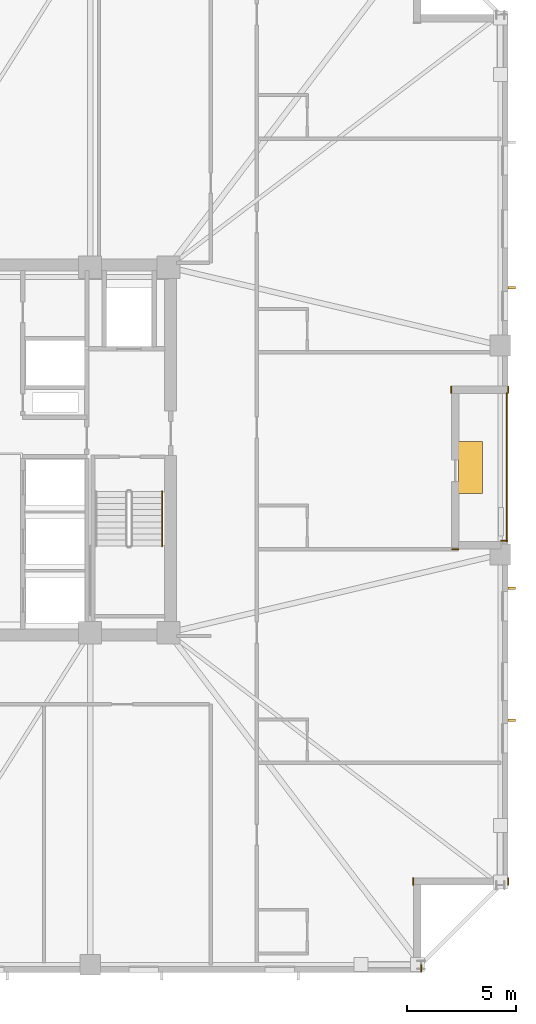
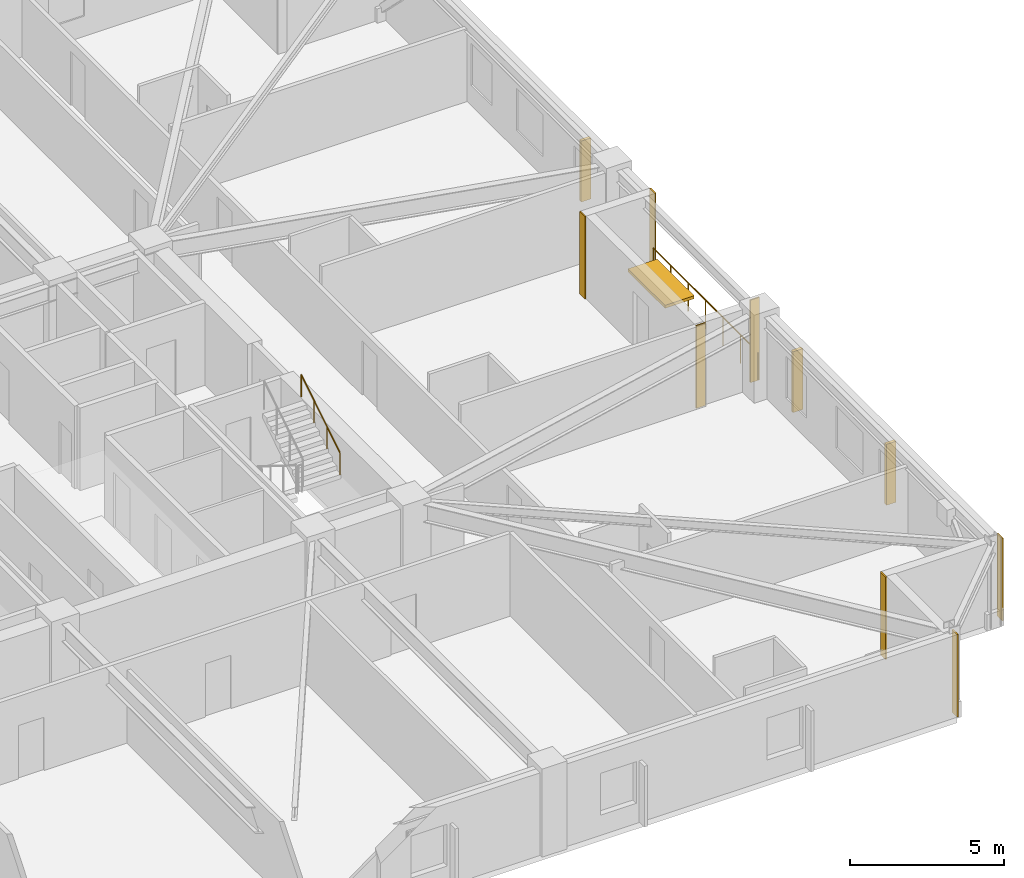
# One storey, part 8 of 10: 7 coverings, 4 shading devices, 2 railings.
"""IFC4 building model written with IfcOpenShell, lengths in metres."""

from ifc_helpers import new_model, si_unit, direction, frame, frame_2d, origin, origin_2d, place, context, subcontext, project, spatial, rectangle, circle, extrude, material, layer, layer_set, type_object, element, save


model = new_model("IFC4")

# Units and contexts
model_context = context("Model", 3, precision=1e-05, world=origin(), true_north=direction((0.0, 1.0)))
body_context = subcontext(model_context, "Body", "Model", "MODEL_VIEW")
ifc_project = project(units=[si_unit("LENGTHUNIT", "METRE"), si_unit("AREAUNIT", "SQUARE_METRE"), si_unit("VOLUMEUNIT", "CUBIC_METRE"), si_unit("PLANEANGLEUNIT", "RADIAN"), si_unit("MASSUNIT", "GRAM", prefix="KILO")], contexts=[model_context])

# Site, building, storey
site_placement = place(None, origin())
site = spatial("IfcSite", under=ifc_project, at=site_placement, CompositionType="ELEMENT")
building_placement = place(site_placement, origin())
building = spatial("IfcBuilding", under=site, at=building_placement, Name="Cairnveth Concourse Tower", CompositionType="ELEMENT")
storey_placement = place(building_placement, frame((0.0, 0.0, 183.0)))
storey = spatial("IfcBuildingStorey", under=building, at=storey_placement, Name="L50", CompositionType="ELEMENT", Elevation=183.0)

# Coverings
ifc_material_1 = material(Name="Dressed Melbourne Bluestone Cladding", Category="masonry")
ifc_layer = layer(ifc_material_1, 0.050048828125)
ifc_layer_set = layer_set([ifc_layer], Name="Dressed Melbourne Bluestone Cladding")
covering_type = type_object("IfcCoveringType", Name="DRESSED BLUESTONE PLINTH CLADDING 50", PredefinedType="CLADDING", material=ifc_layer_set)
for number, where, z_axis, x_axis, name in (
    (1, (75.659912109375, 34.820068359375, 0.0), (0.0, 0.0, 1.0), (1.0, 0.0, 0.0), "Melbourne Bluestone Corner Quoin L50-739"),
    (2, (76.02001953125, 19.340087890625, 0.0), (0.0, 0.0, 1.0), (0.0, -1.0, 0.0), "Melbourne Bluestone Corner Quoin L50-740"),
    (3, (71.639892578125, 19.340087890625, 0.0), (0.0, 0.0, 1.0), (0.0, -1.0, 0.0), "Melbourne Bluestone Corner Quoin L50-741"),
    (4, (72.02001953125, 15.340087890625, 0.0), (0.0, 0.0, 1.0), (0.0, -1.0, 0.0), "Melbourne Bluestone Corner Quoin L50-742"),
):
    element("IfcCovering", number, at=place(storey_placement, frame(where, z_axis=z_axis, x_axis=x_axis)), inside=storey, type_object=covering_type, Name=name, PredefinedType="CLADDING", context=body_context, shape_type="SweptSolid", body=[
        extrude(rectangle(XDim=0.340087890625, YDim=0.050048828125, at=frame_2d((0.169921875, 0.0))), origin(), (0.0, 0.0, 1.0), 3.280029296875),
    ])
for number, where, z_axis, x_axis, name in (
    (5, (76.02001953125, 41.93994140625, 0.0), (0.0, 0.0, 1.0), (0.0, -1.0, 0.0), "Melbourne Bluestone Corner Quoin L50-752"),
    (6, (73.389892578125, 41.93994140625, 0.0), (0.0, 0.0, 1.0), (0.0, -1.0, 0.0), "Melbourne Bluestone Corner Quoin L50-753"),
):
    element("IfcCovering", number, at=place(storey_placement, frame(where, z_axis=z_axis, x_axis=x_axis)), inside=storey, type_object=covering_type, Name=name, PredefinedType="CLADDING", context=body_context, shape_type="SweptSolid", body=[
        extrude(rectangle(XDim=0.33984375, YDim=0.050048828125, at=frame_2d((0.169921875, 0.0))), origin(), (0.0, 0.0, 1.0), 3.280029296875),
    ])
covering_placement = place(storey_placement, frame((73.409912109375, 34.43994140625, 0.0), z_axis=(0.0, 0.0, 1.0), x_axis=(1.0, 0.0, 0.0)))
element("IfcCovering", 7, at=covering_placement, inside=storey, type_object=covering_type, Name="Melbourne Bluestone Corner Quoin L50-754", PredefinedType="CLADDING", context=body_context, shape_type="SweptSolid", body=[
    extrude(rectangle(XDim=0.340087890625, YDim=0.050048828125, at=frame_2d((0.169921875, 0.0))), origin(), (0.0, 0.0, 1.0), 3.280029296875),
])

# Shading devices
ifc_material_2 = material(Name="Architectural Bronze Anodised Aluminium 6063-T6", Category="aluminium")
shading_device_type_1 = type_object("IfcShadingDeviceType", Name="GOTHIC BRONZE VERTICAL LANCET FIN", PredefinedType="USERDEFINED", material=ifc_material_2)
for number, where, z_axis, x_axis, name in (
    (8, (76.175048828125, 32.65478515625, 0.030029296875), (0.0, 0.0, 1.0), (0.0, 1.0, 0.0), "Gothic Bronze Vertical Fin L50-0-1"),
    (9, (76.175048828125, 26.583251953125, 0.030029296875), (0.0, 0.0, 1.0), (0.0, 1.0, 0.0), "Gothic Bronze Vertical Fin L50-0-3"),
    (10, (76.175048828125, 46.449951171875, 0.030029296875), (0.0, 0.0, 1.0), (0.0, 1.0, 0.0), "Gothic Bronze Vertical Fin L50-12-3"),
):
    element("IfcShadingDevice", number, at=place(storey_placement, frame(where, z_axis=z_axis, x_axis=x_axis)), inside=storey, type_object=shading_device_type_1, Name=name, ObjectType="VERTICAL FIN", PredefinedType="USERDEFINED", context=body_context, shape_type="SweptSolid", body=[
        extrude(rectangle(XDim=0.1201171875, YDim=0.360107421875, at=origin_2d()), origin(), (0.0, 0.0, 1.0), 2.419921875),
    ])
shading_device_type_2 = type_object("IfcShadingDeviceType", Name="SPIRAL TERRACE SUNSHADE CANOPY", PredefinedType="USERDEFINED", material=ifc_material_2)
shading_device_placement = place(storey_placement, frame((74.27001953125, 38.199951171875, 2.300048828125), z_axis=(0.0, 0.0, 1.0), x_axis=(1.0, 0.0, 0.0)))
element("IfcShadingDevice", 11, at=shading_device_placement, inside=storey, type_object=shading_device_type_2, Name="Spiral Terrace Sunshade L50", ObjectType="TERRACE SUNSHADE", PredefinedType="USERDEFINED", context=body_context, shape_type="SweptSolid", body=[
    extrude(rectangle(XDim=1.10009765625, YDim=2.39990234375, at=origin_2d()), origin(), (0.0, 0.0, 1.0), 0.1201171875),
])

# Railings
ifc_material_3 = material(Name="Steel Grade 350", Category="steel")
railing_type_1 = type_object("IfcRailingType", Name="STAIR WALL HANDRAIL 900", PredefinedType="HANDRAIL", material=ifc_material_3)
railing_1_placement = place(storey_placement, frame((60.110107421875, 34.580078125, 1.925048828125)))
element("IfcRailing", 12, at=railing_1_placement, inside=storey, type_object=railing_type_1, Name="L50 ST-2 stair handrail 2", PredefinedType="HANDRAIL", context=body_context, shape_type="SweptSolid", body=[
    extrude(circle(Radius=0.02392578125, at=origin_2d()), frame((0.0, 0.0, 0.8759765625), z_axis=(0.0, 0.848007534815, 0.529984170421), x_axis=(-1.0, 0.0, 0.0)), (0.0, 0.0, 1.0), 2.9716796875),
    extrude(circle(Radius=0.02099609375, at=origin_2d()), origin(), (0.0, 0.0, 1.0), 0.851806640625),
    extrude(circle(Radius=0.02099609375, at=origin_2d()), frame((0.0, 0.840087890625, 0.52490234375)), (0.0, 0.0, 1.0), 0.851806640625),
    extrude(circle(Radius=0.02099609375, at=origin_2d()), frame((0.0, 1.679931640625, 1.050048828125)), (0.0, 0.0, 1.0), 0.851806640625),
    extrude(circle(Radius=0.02099609375, at=origin_2d()), frame((0.0, 2.52001953125, 1.574951171875)), (0.0, 0.0, 1.0), 0.851806640625),
])
railing_type_2 = type_object("IfcRailingType", Name="TERRACE BRONZE BALUSTRADE 1150", PredefinedType="BALUSTRADE", material=ifc_material_2)
railing_2_placement = place(storey_placement, frame((75.93994140625, 34.800048828125, 0.0)))
element("IfcRailing", 13, at=railing_2_placement, inside=storey, type_object=railing_type_2, Name="Terrace Balustrade RL-L50-TERR", PredefinedType="BALUSTRADE", context=body_context, shape_type="SweptSolid", body=[
    extrude(circle(Radius=0.02490234375, at=origin_2d()), frame((0.0, 0.0, 1.125), z_axis=(0.0, 1.0, 0.0), x_axis=(-1.0, 0.0, 0.0)), (0.0, 0.0, 1.0), 6.800048828125),
    extrude(circle(Radius=0.02099609375, at=origin_2d()), origin(), (0.0, 0.0, 1.0), 1.099853515625),
    extrude(circle(Radius=0.02099609375, at=origin_2d()), frame((0.0, 1.13330078125, 0.0)), (0.0, 0.0, 1.0), 1.099853515625),
    extrude(circle(Radius=0.02099609375, at=origin_2d()), frame((0.0, 2.2666015625, 0.0)), (0.0, 0.0, 1.0), 1.099853515625),
    extrude(circle(Radius=0.02099609375, at=origin_2d()), frame((0.0, 3.39990234375, 0.0)), (0.0, 0.0, 1.0), 1.099853515625),
    extrude(circle(Radius=0.02099609375, at=origin_2d()), frame((0.0, 4.533447265625, 0.0)), (0.0, 0.0, 1.0), 1.099853515625),
    extrude(circle(Radius=0.02099609375, at=origin_2d()), frame((0.0, 5.666748046875, 0.0)), (0.0, 0.0, 1.0), 1.099853515625),
    extrude(circle(Radius=0.02099609375, at=origin_2d()), frame((0.0, 6.800048828125, 0.0)), (0.0, 0.0, 1.0), 1.099853515625),
])

save(model, "model.ifc")
